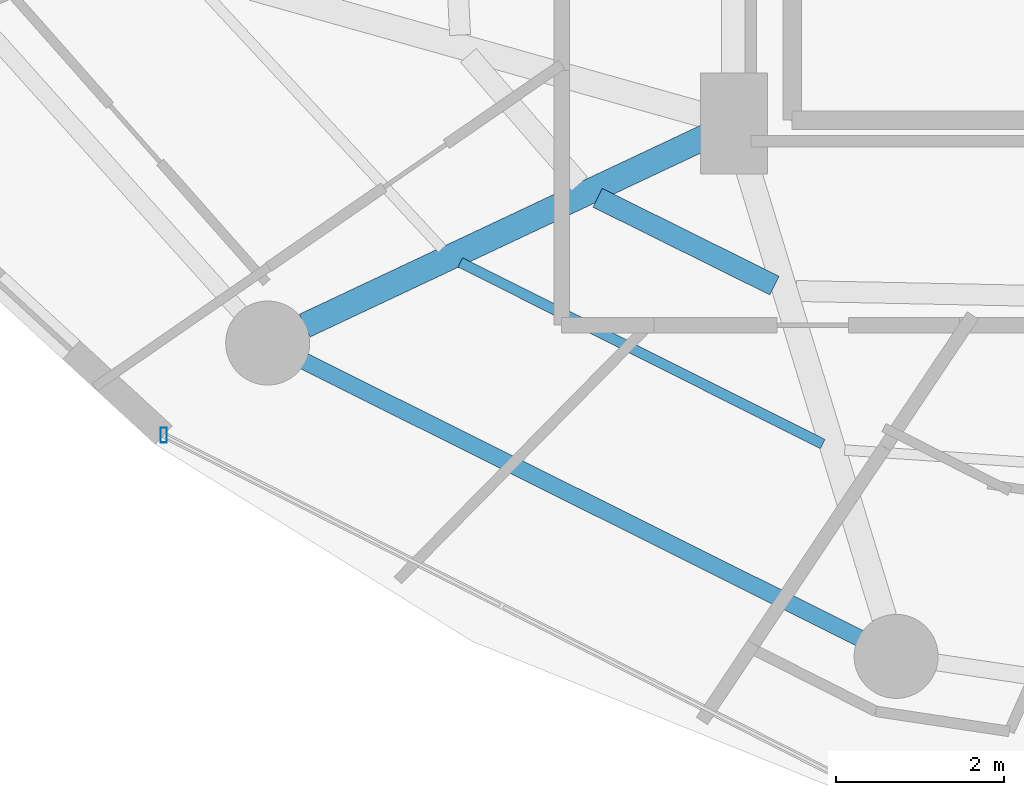
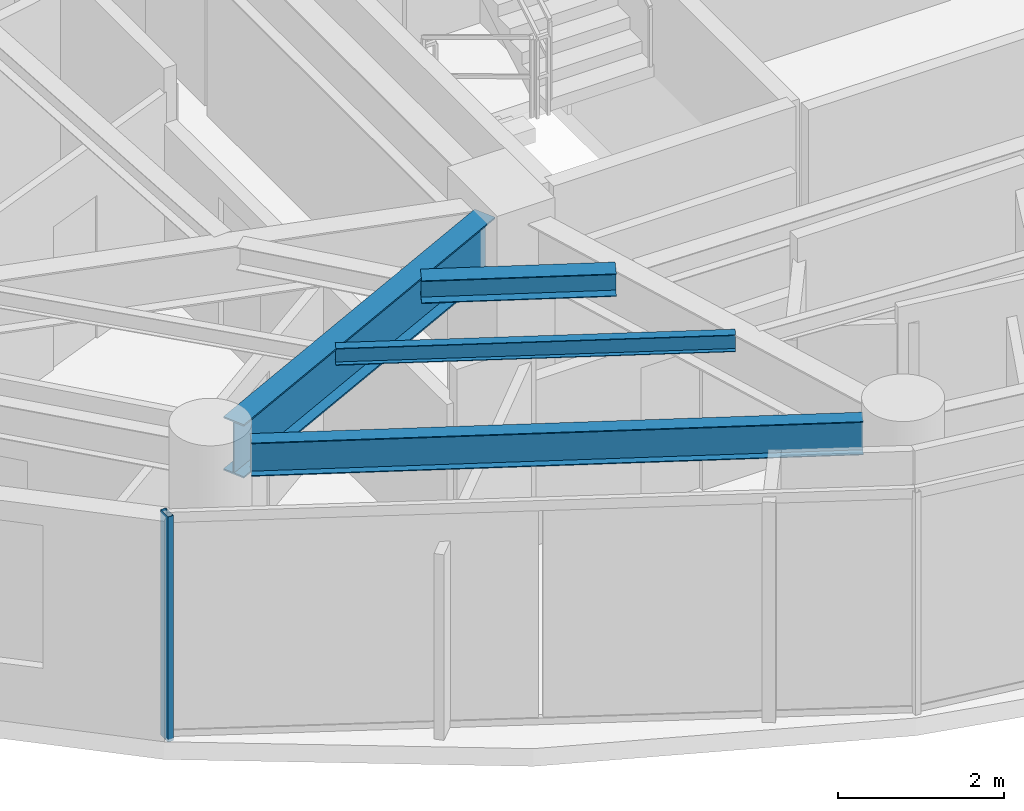
# One storey, part 2 of 30: 4 beams, 1 member, 1 element without a shape of its own.
"""IFC4 building model written with IfcOpenShell, lengths in metres."""

from ifc_helpers import new_model, si_unit, direction, frame, origin, origin_2d, place, context, subcontext, project, spatial, hollow_rectangle, i_section, extrude, material, material_profile, profile_set, type_object, element, aggregate, save


model = new_model("IFC4")

# Units and contexts
model_context = context("Model", 3, precision=1e-05, world=origin(), true_north=direction((0.0, 1.0)))
body_context = subcontext(model_context, "Body", "Model", "MODEL_VIEW")
ifc_project = project(units=[si_unit("LENGTHUNIT", "METRE"), si_unit("AREAUNIT", "SQUARE_METRE"), si_unit("VOLUMEUNIT", "CUBIC_METRE"), si_unit("PLANEANGLEUNIT", "RADIAN"), si_unit("MASSUNIT", "GRAM", prefix="KILO")], contexts=[model_context])

# Site, building, storey
site_placement = place(None, origin())
site = spatial("IfcSite", under=ifc_project, at=site_placement, CompositionType="ELEMENT")
building_placement = place(site_placement, origin())
building = spatial("IfcBuilding", under=site, at=building_placement, Name="Vorneva Point Tower", CompositionType="ELEMENT")
storey_placement = place(building_placement, frame((0.0, 0.0, 153.60009765625)))
storey = spatial("IfcBuildingStorey", under=building, at=storey_placement, Name="L41", CompositionType="ELEMENT", Elevation=153.60009765625)

# Beams
ifc_material_1 = material(Name="Steel S355", Category="steel")
ifc_material_profile_1 = material_profile(ifc_material_1, i_section(OverallWidth=0.300048828125, OverallDepth=0.7880859375, WebThickness=0.014404296875, FlangeThickness=0.02197265625, at=origin_2d()), Name="80Sh1")
ifc_profile_set_1 = profile_set([ifc_material_profile_1], Name="Steel S355")
beam_type_1 = type_object("IfcBeamType", Name="BM-GRD-80Sh1", PredefinedType="USERDEFINED", material=ifc_profile_set_1)
beam_1_placement = place(storey_placement, frame((22.142578125, 14.045654296875, 2.845947265625), z_axis=(0.904761331435, 0.425918927896, 0.0), x_axis=(-0.425918927896, 0.904761331435, 0.0)))
element("IfcBeam", 1, at=beam_1_placement, inside=storey, type_object=beam_type_1, Name="L41 Radial Primary Girder 11", ObjectType="GIRDER", PredefinedType="USERDEFINED", context=body_context, shape_type="SweptSolid", body=[
    extrude(i_section(OverallWidth=0.300048828125, OverallDepth=0.7880859375, WebThickness=0.014404296875, FlangeThickness=0.02197265625, at=origin_2d()), origin(), (0.0, 0.0, 1.0), 5.304931640625),
])
ifc_material_profile_2 = material_profile(ifc_material_1, i_section(OverallWidth=0.1240234375, OverallDepth=0.248046875, WebThickness=0.0048828125, FlangeThickness=0.008056640625, at=origin_2d()), Name="25B1")
ifc_profile_set_2 = profile_set([ifc_material_profile_2], Name="Steel S355")
beam_type_2 = type_object("IfcBeamType", Name="BM-JST-25B1", PredefinedType="JOIST", material=ifc_profile_set_2)
beam_2_placement = place(storey_placement, frame((23.993896484375, 14.79736328125, 3.115966796875), z_axis=(0.893940770693, -0.448185116322, 0.0), x_axis=(0.448185116322, 0.893940770693, 0.0)))
element("IfcBeam", 2, at=beam_2_placement, inside=storey, type_object=beam_type_2, Name="L41 Secondary Floor Beam 1.11", PredefinedType="JOIST", context=body_context, shape_type="SweptSolid", body=[
    extrude(i_section(OverallWidth=0.1240234375, OverallDepth=0.248046875, WebThickness=0.0048828125, FlangeThickness=0.008056640625, at=origin_2d()), origin(), (0.0, 0.0, 1.0), 4.823486328125),
])
ifc_material_profile_3 = material_profile(ifc_material_1, i_section(OverallWidth=0.2490234375, OverallDepth=0.333984375, WebThickness=0.008056640625, FlangeThickness=0.010986328125, at=origin_2d()), Name="35Sh1")
ifc_profile_set_3 = profile_set([ifc_material_profile_3], Name="Steel S355")
beam_type_3 = type_object("IfcBeamType", Name="BM-SEC-35Sh1", PredefinedType="BEAM", material=ifc_profile_set_3)
beam_3_placement = place(storey_placement, frame((25.626220703125, 15.56591796875, 3.072998046875), z_axis=(0.895835455774, -0.444385909068, 0.0), x_axis=(0.444385909068, 0.895835455774, 0.0)))
element("IfcBeam", 3, at=beam_3_placement, inside=storey, type_object=beam_type_3, Name="L41 Secondary Floor Beam 2.11", PredefinedType="BEAM", context=body_context, shape_type="SweptSolid", body=[
    extrude(i_section(OverallWidth=0.2490234375, OverallDepth=0.333984375, WebThickness=0.008056640625, FlangeThickness=0.010986328125, at=origin_2d()), origin(), (0.0, 0.0, 1.0), 2.350341796875),
])
ifc_material_profile_4 = material_profile(ifc_material_1, i_section(OverallWidth=0.199951171875, OverallDepth=0.491943359375, WebThickness=0.0087890625, FlangeThickness=0.011962890625, at=origin_2d()), Name="50B1")
ifc_profile_set_4 = profile_set([ifc_material_profile_4], Name="Steel S355")
beam_type_4 = type_object("IfcBeamType", Name="BM-SPN-50B1", PredefinedType="SPANDREL", material=ifc_profile_set_4)
beam_4_placement = place(storey_placement, frame((22.13525390625, 13.621337890625, 2.993896484375), z_axis=(0.894929061397, -0.446208443518, 0.0), x_axis=(0.446208443518, 0.894929061397, 0.0)))
element("IfcBeam", 4, at=beam_4_placement, inside=storey, type_object=beam_type_4, Name="L41 Perimeter Spandrel Ring Beam 11", PredefinedType="SPANDREL", context=body_context, shape_type="SweptSolid", body=[
    extrude(i_section(OverallWidth=0.199951171875, OverallDepth=0.491943359375, WebThickness=0.0087890625, FlangeThickness=0.011962890625, at=origin_2d()), origin(), (0.0, 0.0, 1.0), 7.385986328125),
])

# Curtain wall, member
ifc_material_2 = material(Name="Pale anodised aluminium", Category="aluminium")
curtain_wall_type = type_object("IfcCurtainWallType", Name="CW-RES-SYS", PredefinedType="NOTDEFINED", material=ifc_material_2)
curtain_wall_placement = place(storey_placement, origin())
curtain_wall = element("IfcCurtainWall", 5, at=curtain_wall_placement, inside=storey, type_object=curtain_wall_type, Name="L41 Unitised Curtain Wall CW-L41-R04", PredefinedType="NOTDEFINED")
ifc_material_profile_5 = material_profile(ifc_material_2, hollow_rectangle(XDim=0.074951171875, YDim=0.179931640625, WallThickness=0.00390625, at=origin_2d()), Name="AL-MUL 180x75x4")
ifc_profile_set_5 = profile_set([ifc_material_profile_5], Name="Pale anodised aluminium")
member_type = type_object("IfcMemberType", Name="CW-MUL-180", PredefinedType="MULLION", material=ifc_profile_set_5)
member_placement = place(storey_placement, frame((20.4638671875, 12.74169921875, -0.0400390625), z_axis=(0.0, 0.0, 1.0), x_axis=(1.0, 0.0, 0.0)))
member = element("IfcMember", 6, at=member_placement, type_object=member_type, Name="CW-L41-R04 Mullion 01", PredefinedType="MULLION", context=body_context, shape_type="SweptSolid", body=[
    extrude(hollow_rectangle(XDim=0.074951171875, YDim=0.179931640625, WallThickness=0.00390625, at=origin_2d()), origin(), (0.0, 0.0, 1.0), 3.31005859375),
])
aggregate(curtain_wall, [member])

save(model, "model.ifc")
